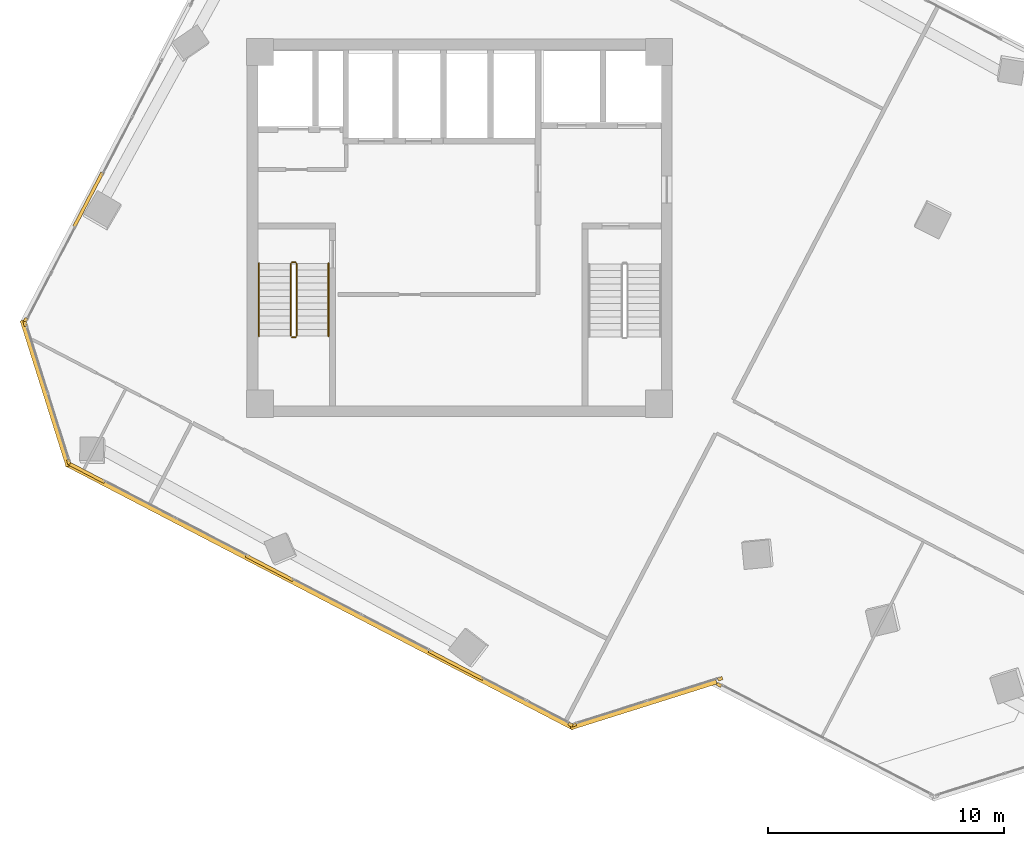
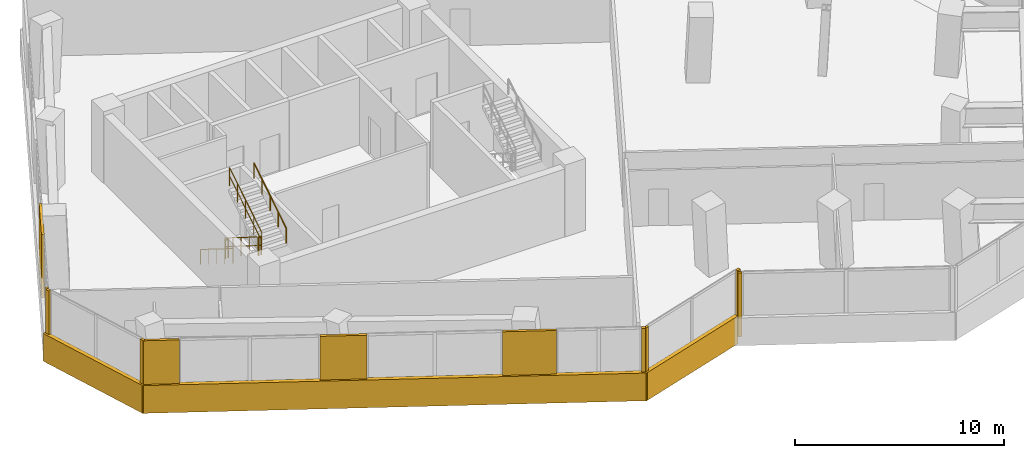
# One storey, part 19 of 22: 14 coverings, 6 railings.
"""IFC4 building model written with IfcOpenShell, lengths in metres."""

from ifc_helpers import new_model, si_unit, direction, frame, origin, origin_2d, place, context, subcontext, project, spatial, rectangle, circle, extrude, source, transform, mapped, material, layer, layer_set, type_object, element, save


model = new_model("IFC4")

# Units and contexts
model_context = context("Model", 3, precision=1e-05, world=origin(), true_north=direction((0.0, 1.0)))
body_context = subcontext(model_context, "Body", "Model", "MODEL_VIEW")
ifc_project = project(units=[si_unit("LENGTHUNIT", "METRE"), si_unit("AREAUNIT", "SQUARE_METRE"), si_unit("VOLUMEUNIT", "CUBIC_METRE"), si_unit("PLANEANGLEUNIT", "RADIAN"), si_unit("MASSUNIT", "GRAM", prefix="KILO")], contexts=[model_context])

# Site, building, storey
site_placement = place(None, origin())
site = spatial("IfcSite", under=ifc_project, at=site_placement, CompositionType="ELEMENT")
building_placement = place(site_placement, origin())
building = spatial("IfcBuilding", under=site, at=building_placement, Name="Torre Montelarca", CompositionType="ELEMENT")
storey_placement = place(building_placement, frame((0.0, 0.0, 170.800048828125)))
storey = spatial("IfcBuildingStorey", under=building, at=storey_placement, Name="L38", CompositionType="ELEMENT", Elevation=170.800048828125)

# Railings
ifc_material_1 = material(Name="Powder-coated steel ASTM A500 Grade C", Category="steel")
railing_type_1 = type_object("IfcRailingType", Name="RL-GUARD-1100", PredefinedType="BALUSTRADE", material=ifc_material_1)
railing_1_placement = place(storey_placement, frame((10.85009765625, 30.5, 0.175048828125)))
element("IfcRailing", 1, at=railing_1_placement, inside=storey, type_object=railing_type_1, Name="L38 ST1 stair guard 1", PredefinedType="BALUSTRADE", context=body_context, shape_type="SweptSolid", body=[
    extrude(circle(Radius=0.02392578125, at=origin_2d()), frame((0.0, 0.0, 1.076171875), z_axis=(0.0, -0.848028513186, 0.529950602248), x_axis=(1.0, 0.0, 0.0)), (0.0, 0.0, 1.0), 3.632080078125),
    extrude(circle(Radius=0.02099609375, at=origin_2d()), frame((0.0, 0.0, 0.572021484375), z_axis=(0.0, -0.848028513186, 0.529950602248), x_axis=(1.0, 0.0, 0.0)), (0.0, 0.0, 1.0), 3.632080078125),
    extrude(circle(Radius=0.02099609375, at=origin_2d()), origin(), (0.0, 0.0, 1.0), 1.052001953125),
    extrude(circle(Radius=0.02099609375, at=origin_2d()), frame((0.0, -0.77001953125, 0.481201171875)), (0.0, 0.0, 1.0), 1.052001953125),
    extrude(circle(Radius=0.02099609375, at=origin_2d()), frame((0.0, -1.5400390625, 0.96240234375)), (0.0, 0.0, 1.0), 1.052001953125),
    extrude(circle(Radius=0.02099609375, at=origin_2d()), frame((0.0, -2.31005859375, 1.443603515625)), (0.0, 0.0, 1.0), 1.052001953125),
    extrude(circle(Radius=0.02099609375, at=origin_2d()), frame((0.0, -3.080078125, 1.9248046875)), (0.0, 0.0, 1.0), 1.052001953125),
])
railing_2_placement = place(storey_placement, frame((10.89990234375, 27.3701171875, 2.099853515625)))
element("IfcRailing", 2, at=railing_2_placement, inside=storey, type_object=railing_type_1, Name="L38 ST1 stair guard 2", PredefinedType="BALUSTRADE", context=body_context, shape_type="SweptSolid", body=[
    extrude(circle(Radius=0.02392578125, at=origin_2d()), frame((0.0, 0.0, 1.076171875), z_axis=(1.0, 0.0, 0.0), x_axis=(0.0, 1.0, 0.0)), (0.0, 0.0, 1.0), 0.150146484375),
    extrude(circle(Radius=0.02099609375, at=origin_2d()), frame((0.0, 0.0, 0.572021484375), z_axis=(1.0, 0.0, 0.0), x_axis=(0.0, 1.0, 0.0)), (0.0, 0.0, 1.0), 0.150146484375),
    extrude(circle(Radius=0.02099609375, at=origin_2d()), origin(), (0.0, 0.0, 1.0), 1.052001953125),
    extrude(circle(Radius=0.02099609375, at=origin_2d()), frame((0.150146484375, 0.0, 0.0)), (0.0, 0.0, 1.0), 1.052001953125),
])
railing_3_placement = place(storey_placement, frame((11.10009765625, 27.419921875, 2.27490234375)))
element("IfcRailing", 3, at=railing_3_placement, inside=storey, type_object=railing_type_1, Name="L38 ST1 stair guard 3", PredefinedType="BALUSTRADE", context=body_context, shape_type="SweptSolid", body=[
    extrude(circle(Radius=0.02392578125, at=origin_2d()), frame((0.0, 0.0, 1.076171875), z_axis=(0.0, 0.847998304005, 0.529998940003), x_axis=(-1.0, 0.0, 0.0)), (0.0, 0.0, 1.0), 3.632080078125),
    extrude(circle(Radius=0.02099609375, at=origin_2d()), frame((0.0, 0.0, 0.572021484375), z_axis=(0.0, 0.847998304005, 0.529998940003), x_axis=(-1.0, 0.0, 0.0)), (0.0, 0.0, 1.0), 3.632080078125),
    extrude(circle(Radius=0.02099609375, at=origin_2d()), origin(), (0.0, 0.0, 1.0), 1.052001953125),
    extrude(circle(Radius=0.02099609375, at=origin_2d()), frame((0.0, 0.77001953125, 0.481201171875)), (0.0, 0.0, 1.0), 1.052001953125),
    extrude(circle(Radius=0.02099609375, at=origin_2d()), frame((0.0, 1.5400390625, 0.96240234375)), (0.0, 0.0, 1.0), 1.052001953125),
    extrude(circle(Radius=0.02099609375, at=origin_2d()), frame((0.0, 2.31005859375, 1.44384765625)), (0.0, 0.0, 1.0), 1.052001953125),
    extrude(circle(Radius=0.02099609375, at=origin_2d()), frame((0.0, 3.080078125, 1.925048828125)), (0.0, 0.0, 1.0), 1.052001953125),
])
railing_4_placement = place(storey_placement, frame((10.89990234375, 30.550048828125, 0.0)))
element("IfcRailing", 4, at=railing_4_placement, inside=storey, type_object=railing_type_1, Name="L38 ST1 stair guard 4", PredefinedType="BALUSTRADE", context=body_context, shape_type="SweptSolid", body=[
    extrude(circle(Radius=0.02392578125, at=origin_2d()), frame((0.0, 0.0, 1.076171875), z_axis=(1.0, 0.0, 0.0), x_axis=(0.0, 1.0, 0.0)), (0.0, 0.0, 1.0), 0.150146484375),
    extrude(circle(Radius=0.02099609375, at=origin_2d()), frame((0.0, 0.0, 0.572021484375), z_axis=(1.0, 0.0, 0.0), x_axis=(0.0, 1.0, 0.0)), (0.0, 0.0, 1.0), 0.150146484375),
    extrude(circle(Radius=0.02099609375, at=origin_2d()), origin(), (0.0, 0.0, 1.0), 1.052001953125),
    extrude(circle(Radius=0.02099609375, at=origin_2d()), frame((0.150146484375, 0.0, 0.0)), (0.0, 0.0, 1.0), 1.052001953125),
])
ifc_material_2 = material(Name="Brushed stainless steel AISI 316", Category="steel")
railing_type_2 = type_object("IfcRailingType", Name="RL-HANDRAIL-900", PredefinedType="HANDRAIL", material=ifc_material_2)
railing_5_placement = place(storey_placement, frame((9.5, 30.5, 0.175048828125)))
element("IfcRailing", 5, at=railing_5_placement, inside=storey, type_object=railing_type_2, Name="L38 ST1 stair handrail 1", PredefinedType="HANDRAIL", context=body_context, shape_type="SweptSolid", body=[
    extrude(circle(Radius=0.02392578125, at=origin_2d()), frame((0.0, 0.0, 0.8759765625), z_axis=(0.0, -0.848028513186, 0.529950602248), x_axis=(1.0, 0.0, 0.0)), (0.0, 0.0, 1.0), 3.632080078125),
    extrude(circle(Radius=0.02099609375, at=origin_2d()), origin(), (0.0, 0.0, 1.0), 0.851806640625),
    extrude(circle(Radius=0.02099609375, at=origin_2d()), frame((0.0, -0.77001953125, 0.481201171875)), (0.0, 0.0, 1.0), 0.851806640625),
    extrude(circle(Radius=0.02099609375, at=origin_2d()), frame((0.0, -1.5400390625, 0.96240234375)), (0.0, 0.0, 1.0), 0.851806640625),
    extrude(circle(Radius=0.02099609375, at=origin_2d()), frame((0.0, -2.31005859375, 1.443603515625)), (0.0, 0.0, 1.0), 0.851806640625),
    extrude(circle(Radius=0.02099609375, at=origin_2d()), frame((0.0, -3.080078125, 1.9248046875)), (0.0, 0.0, 1.0), 0.851806640625),
])
railing_6_placement = place(storey_placement, frame((12.449951171875, 27.419921875, 2.27490234375)))
element("IfcRailing", 6, at=railing_6_placement, inside=storey, type_object=railing_type_2, Name="L38 ST1 stair handrail 2", PredefinedType="HANDRAIL", context=body_context, shape_type="SweptSolid", body=[
    extrude(circle(Radius=0.02392578125, at=origin_2d()), frame((0.0, 0.0, 0.8759765625), z_axis=(0.0, 0.847998304005, 0.529998940003), x_axis=(-1.0, 0.0, 0.0)), (0.0, 0.0, 1.0), 3.632080078125),
    extrude(circle(Radius=0.02099609375, at=origin_2d()), origin(), (0.0, 0.0, 1.0), 0.851806640625),
    extrude(circle(Radius=0.02099609375, at=origin_2d()), frame((0.0, 0.77001953125, 0.481201171875)), (0.0, 0.0, 1.0), 0.851806640625),
    extrude(circle(Radius=0.02099609375, at=origin_2d()), frame((0.0, 1.5400390625, 0.96240234375)), (0.0, 0.0, 1.0), 0.851806640625),
    extrude(circle(Radius=0.02099609375, at=origin_2d()), frame((0.0, 2.31005859375, 1.44384765625)), (0.0, 0.0, 1.0), 0.851806640625),
    extrude(circle(Radius=0.02099609375, at=origin_2d()), frame((0.0, 3.080078125, 1.925048828125)), (0.0, 0.0, 1.0), 0.851806640625),
])

# Coverings
ifc_material_3 = material(Name="Bush-hammered warm white precast concrete C45/55", Category="concrete")
ifc_layer = layer(ifc_material_3, 0.139892578125, Name="Bush-hammered warm white precast concrete C45/55", Category="concrete")
ifc_layer_set = layer_set([ifc_layer], Name="Bush-hammered warm white precast concrete C45/55")
covering_type = type_object("IfcCoveringType", Name="COV-TRAY-CLAD", PredefinedType="CLADDING", material=ifc_layer_set)
shared_shape_1 = source(origin(), body_context, "Body", "SweptSolid", [
    extrude(rectangle(XDim=6.48388671875, YDim=0.219970703125, at=origin_2d()), origin(), (0.0, 0.0, 1.0), 1.6201171875),
])
for number, where, z_axis, x_axis, name in (
    (7, (25.790283203125, 11.808837890625, -0.4501953125), (0.0, 0.0, 1.0), (0.953715901081, 0.300709128603, 0.0), "L38 Architectural White Spandrel Tray Band TRYBOT-02"),
    (8, (0.45947265625, 24.9951171875, -0.4501953125), (0.0, 0.0, 1.0), (0.300695812187, -0.95372009968, 0.0), "L38 Architectural White Spandrel Tray Band TRYBOT-11"),
):
    element("IfcCovering", number, at=place(storey_placement, frame(where, z_axis=z_axis, x_axis=x_axis)), inside=storey, type_object=covering_type, Name=name, PredefinedType="CLADDING", context=body_context, shape_type="MappedRepresentation", body=[
        mapped(shared_shape_1, transform((0.0, 0.0, 0.0), scale=1.0)),
    ])
shared_shape_2 = source(origin(), body_context, "Body", "SweptSolid", [
    extrude(rectangle(XDim=0.199951171875, YDim=0.139892578125, at=origin_2d()), origin(), (0.0, 0.0, 1.0), 3.719970703125),
])
for number, where, z_axis, x_axis, name in (
    (9, (22.70361328125, 10.95654296875, 0.0), (0.0, 0.0, 1.0), (0.887010833178, -0.461748613235, 0.0), "L38 Architectural Column Pier Cladding E01-4"),
    (10, (22.847900390625, 10.944091796875, 0.0), (0.0, 0.0, 1.0), (0.953715901081, 0.300709128603, 0.0), "L38 Architectural Column Pier Cladding E02-1"),
    (11, (29.047119140625, 12.898681640625, 0.0), (0.0, 0.0, 1.0), (0.953715901081, 0.300709128603, 0.0), "L38 Architectural Column Pier Cladding E02-2"),
    (12, (28.999755859375, 12.639404296875, 0.0), (0.0, 0.0, 1.0), (0.88701163908, -0.461747065108, 0.0), "L38 Architectural Column Pier Cladding E04-1"),
    (13, (-0.392578125, 28.08203125, 0.0), (0.0, 0.0, 1.0), (-0.46174551698, -0.88701244498, 0.0), "L38 Architectural Column Pier Cladding E10-5"),
    (14, (-0.4052734375, 27.9375, 0.0), (0.0, 0.0, 1.0), (0.300690818516, -0.953721674106, 0.0), "L38 Architectural Column Pier Cladding E11-1"),
    (15, (1.438720703125, 22.089111328125, 0.0), (0.0, 0.0, 1.0), (0.300690818516, -0.953721674106, 0.0), "L38 Architectural Column Pier Cladding E11-2"),
):
    element("IfcCovering", number, at=place(storey_placement, frame(where, z_axis=z_axis, x_axis=x_axis)), inside=storey, type_object=covering_type, Name=name, PredefinedType="CLADDING", context=body_context, shape_type="MappedRepresentation", body=[
        mapped(shared_shape_2, transform((0.0, 0.0, 0.0), scale=1.0)),
    ])
shared_shape_3 = source(origin(), body_context, "Body", "SweptSolid", [
    extrude(rectangle(XDim=1.714111328125, YDim=0.139892578125, at=origin_2d()), origin(), (0.0, 0.0, 1.0), 3.719970703125),
])
covering_1_placement = place(storey_placement, frame((2.203369140625, 21.628173828125, 0.0), z_axis=(0.0, 0.0, 1.0), x_axis=(0.887010833178, -0.461748613235, 0.0)))
element("IfcCovering", 16, at=covering_1_placement, inside=storey, type_object=covering_type, Name="L38 Architectural Column Pier Cladding E01-1", PredefinedType="CLADDING", context=body_context, shape_type="MappedRepresentation", body=[
    mapped(shared_shape_3, transform((0.0, 0.0, 0.0), scale=1.0)),
])
shared_shape_4 = source(origin(), body_context, "Body", "SweptSolid", [
    extrude(rectangle(XDim=24.22021484375, YDim=0.219970703125, at=origin_2d()), origin(), (0.0, 0.0, 1.0), 1.6201171875),
])
covering_2_placement = place(storey_placement, frame((12.090087890625, 16.4140625, -0.4501953125), z_axis=(0.0, 0.0, 1.0), x_axis=(0.887010027274, -0.46175016136, 0.0)))
element("IfcCovering", 17, at=covering_2_placement, inside=storey, type_object=covering_type, Name="L38 Architectural White Spandrel Tray Band TRYBOT-01", PredefinedType="CLADDING", context=body_context, shape_type="MappedRepresentation", body=[
    mapped(shared_shape_4, transform((0.0, 0.0, 0.0), scale=1.0)),
])
shared_shape_5 = source(origin(), body_context, "Body", "SweptSolid", [
    extrude(rectangle(XDim=2.247314453125, YDim=0.139892578125, at=origin_2d()), origin(), (0.0, 0.0, 1.0), 3.719970703125),
])
covering_3_placement = place(storey_placement, frame((9.9501953125, 17.595703125, 0.0), z_axis=(0.0, 0.0, 1.0), x_axis=(0.887010833178, -0.461748613235, 0.0)))
element("IfcCovering", 18, at=covering_3_placement, inside=storey, type_object=covering_type, Name="L38 Architectural Column Pier Cladding E01-2", PredefinedType="CLADDING", context=body_context, shape_type="MappedRepresentation", body=[
    mapped(shared_shape_5, transform((0.0, 0.0, 0.0), scale=1.0)),
])
shared_shape_6 = source(origin(), body_context, "Body", "SweptSolid", [
    extrude(rectangle(XDim=2.58642578125, YDim=0.139892578125, at=origin_2d()), origin(), (0.0, 0.0, 1.0), 3.719970703125),
])
covering_4_placement = place(storey_placement, frame((17.849365234375, 13.4833984375, 0.0), z_axis=(0.0, 0.0, 1.0), x_axis=(0.887010833178, -0.461748613235, 0.0)))
element("IfcCovering", 19, at=covering_4_placement, inside=storey, type_object=covering_type, Name="L38 Architectural Column Pier Cladding E01-3", PredefinedType="CLADDING", context=body_context, shape_type="MappedRepresentation", body=[
    mapped(shared_shape_6, transform((0.0, 0.0, 0.0), scale=1.0)),
])
shared_shape_7 = source(origin(), body_context, "Body", "SweptSolid", [
    extrude(rectangle(XDim=2.579345703125, YDim=0.139892578125, at=origin_2d()), origin(), (0.0, 0.0, 1.0), 3.719970703125),
])
covering_5_placement = place(storey_placement, frame((2.27099609375, 33.19921875, 0.0), z_axis=(0.0, 0.0, 1.0), x_axis=(-0.46174551698, -0.88701244498, 0.0)))
element("IfcCovering", 20, at=covering_5_placement, inside=storey, type_object=covering_type, Name="L38 Architectural Column Pier Cladding E10-4", PredefinedType="CLADDING", context=body_context, shape_type="MappedRepresentation", body=[
    mapped(shared_shape_7, transform((0.0, 0.0, 0.0), scale=1.0)),
])

save(model, "model.ifc")
